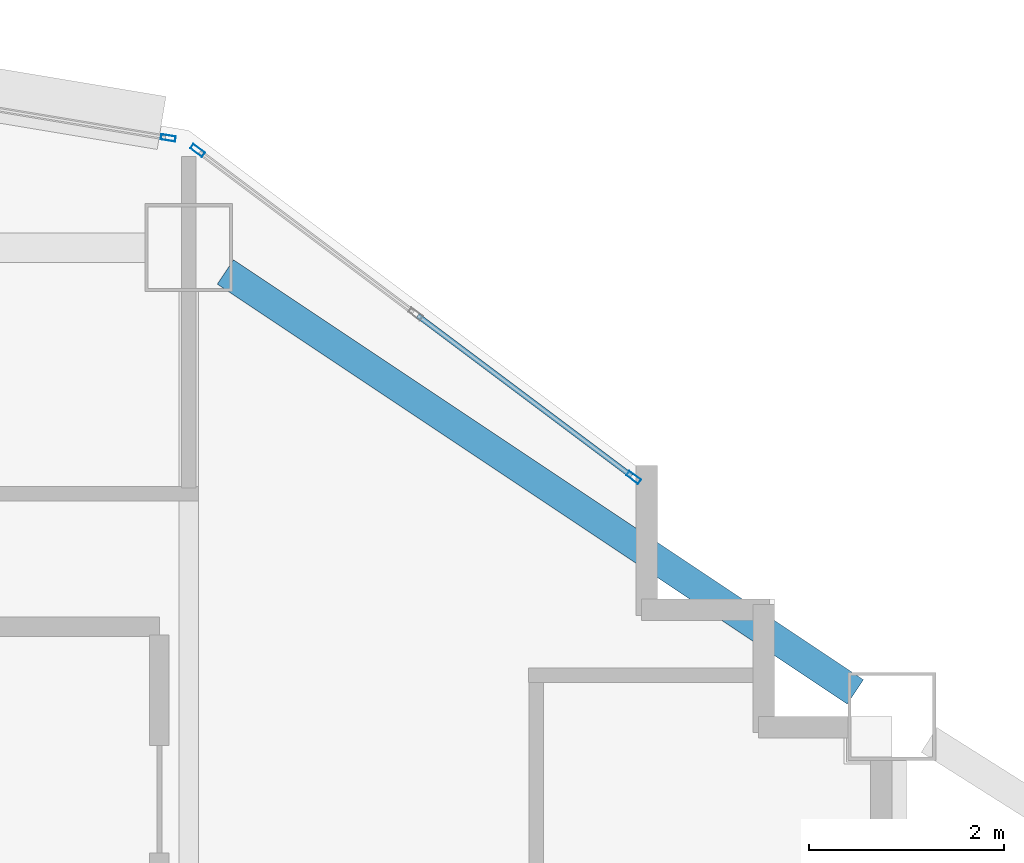
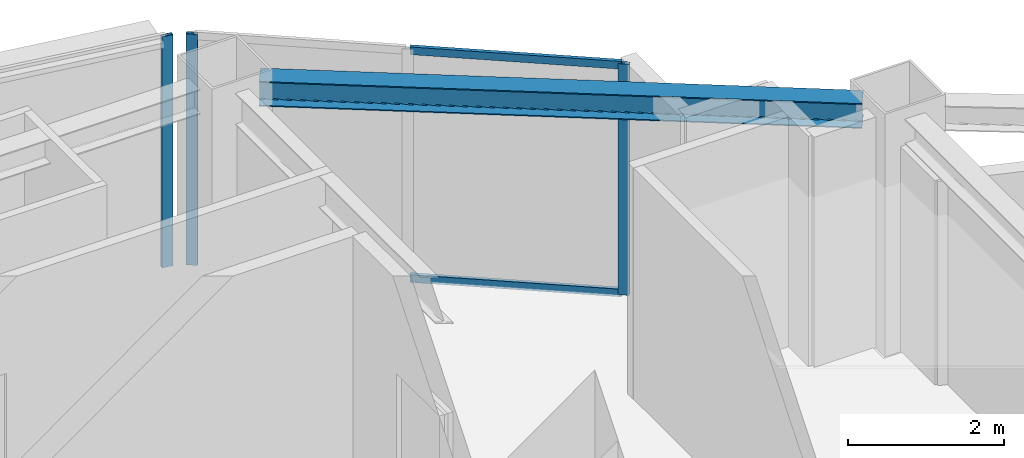
# One storey, part 3 of 12: 5 members, 1 beam, 2 elements without a shape of their own.
"""IFC4 building model written with IfcOpenShell, lengths in metres."""

import ifcopenshell
import ifcopenshell.guid

model = None  # the IFC model being written
_history = None  # IfcOwnerHistory: only IFC2X3 demands one
_inside = {}  # id of a spatial element -> (the spatial element, [elements in it])
_under = {}  # id of a project, library or spatial element -> (it, [spatial elements below it])
_declared = {}  # id of a project -> (the project, [libraries it declares])
_typed = {}  # id of a type object -> (the type object, [elements of that type])
_made_of = {}  # id of a material, layer set ... -> (it, [elements and type objects made of it])


def new_model(schema):
    """Start an empty IFC model of exactly this schema.

    Asked for "IFC4X3", IfcOpenShell would pick the latest addendum, in which some entities
    have other attributes; the version numbers below select the first issue.
    IFC2X3 requires an IfcOwnerHistory on every rooted entity: one is made here for all.
    """
    global model, _history
    if schema == "IFC4X3":
        model = ifcopenshell.file(schema_version=(4, 3, 0, 0))
    else:
        model = ifcopenshell.file(schema=schema)
    _inside.clear()
    _under.clear()
    _declared.clear()
    _typed.clear()
    _made_of.clear()
    _history = None
    if model.schema == "IFC2X3":
        org = make("IfcOrganization", Name="unknown")
        user = make(
            "IfcPersonAndOrganization",
            ThePerson=make("IfcPerson", FamilyName="unknown"),
            TheOrganization=org,
        )
        app = make(
            "IfcApplication",
            ApplicationDeveloper=org,
            Version="unknown",
            ApplicationFullName="unknown",
            ApplicationIdentifier="unknown",
        )
        _history = make(
            "IfcOwnerHistory",
            OwningUser=user,
            OwningApplication=app,
            ChangeAction="ADDED",
            CreationDate=0,
        )
    return model


def make(cls, **values):
    """One entity of the class cls with the attributes given. An attribute that is None is left unset."""
    return model.create_entity(
        cls, **{name: value for name, value in values.items() if value is not None}
    )


def rooted(cls, **values):
    """An entity with a GlobalId (a new one), such as an element, a storey or a relation."""
    return make(cls, GlobalId=ifcopenshell.guid.new(), OwnerHistory=_history, **values)


def si_unit(unit_type, name, prefix=None):
    """IfcSIUnit, for example si_unit("LENGTHUNIT", "METRE", prefix="MILLI")."""
    return make("IfcSIUnit", UnitType=unit_type, Prefix=prefix, Name=name)


def assignment(units):
    """IfcUnitAssignment: the units of a project."""
    return None if units is None else make("IfcUnitAssignment", Units=units)


def point(xyz):
    """IfcCartesianPoint."""
    return None if xyz is None else make("IfcCartesianPoint", Coordinates=xyz)


def direction(xyz):
    """IfcDirection."""
    return None if xyz is None else make("IfcDirection", DirectionRatios=xyz)


def frame(location, z_axis=None, x_axis=None):
    """IfcAxis2Placement3D, a coordinate frame: its origin and axes. An axis left out is left unset."""
    return make(
        "IfcAxis2Placement3D",
        Location=point(location),
        Axis=direction(z_axis),
        RefDirection=direction(x_axis),
    )


def frame_2d(location, x_axis=None):
    """IfcAxis2Placement2D, a coordinate frame in the plane: its origin and x axis."""
    return make(
        "IfcAxis2Placement2D", Location=point(location), RefDirection=direction(x_axis)
    )


def origin():
    """The frame at (0, 0, 0) with its axes left unset."""
    return frame((0.0, 0.0, 0.0))


def origin_2d():
    """The frame at (0, 0) in the plane with its x axis left unset."""
    return frame_2d((0.0, 0.0))


def place(relative_to, where):
    """IfcLocalPlacement: puts the frame where relative to a parent placement (None: the world)."""
    return make(
        "IfcLocalPlacement", PlacementRelTo=relative_to, RelativePlacement=where
    )


def context(
    kind, dimensions, precision=None, world=None, true_north=None, identifier=None
):
    """IfcGeometricRepresentationContext, for example the 3D "Model" context."""
    return make(
        "IfcGeometricRepresentationContext",
        ContextIdentifier=identifier,
        ContextType=kind,
        CoordinateSpaceDimension=dimensions,
        Precision=precision,
        WorldCoordinateSystem=world,
        TrueNorth=true_north,
    )


def subcontext(parent, identifier, kind, view, scale=None):
    """IfcGeometricRepresentationSubContext, for example "Body" below "Model"."""
    return make(
        "IfcGeometricRepresentationSubContext",
        ContextIdentifier=identifier,
        ContextType=kind,
        ParentContext=parent,
        TargetScale=scale,
        TargetView=view,
    )


def project(units=None, contexts=None):
    """IfcProject with its units and contexts."""
    return rooted(
        "IfcProject",
        Name="project",
        RepresentationContexts=contexts,
        UnitsInContext=assignment(units),
    )


def spatial(cls, under=None, at=None, **own):
    """A site, building, storey or space (cls), placed at a placement, below another one or the project."""
    s = rooted(cls, ObjectPlacement=at, **own)
    if under is not None:
        _under.setdefault(under.id(), (under, []))[1].append(s)
    return s


def profile(cls, at=None, kind="AREA", **sizes):
    """A parametric profile (cls). Its sizes go by their IFC names, for example OverallWidth=200.0."""
    return make(cls, ProfileType=kind, Position=at, **sizes)


def hollow_rectangle(**sizes):
    """IfcRectangleHollowProfileDef."""
    return profile("IfcRectangleHollowProfileDef", **sizes)


def i_section(**sizes):
    """IfcIShapeProfileDef."""
    return profile("IfcIShapeProfileDef", **sizes)


def extrude(swept, where, along, depth):
    """IfcExtrudedAreaSolid: the profile swept, set in the frame where, extruded along a direction by depth."""
    return make(
        "IfcExtrudedAreaSolid",
        SweptArea=swept,
        Position=where,
        ExtrudedDirection=direction(along),
        Depth=depth,
    )


def shape(context_of_items, identifier, shape_type, items):
    """IfcShapeRepresentation: the items that make up one representation, for example the "Body"."""
    return make(
        "IfcShapeRepresentation",
        ContextOfItems=context_of_items,
        RepresentationIdentifier=identifier,
        RepresentationType=shape_type,
        Items=items,
    )


def material(Name=None, Category=None):
    """IfcMaterial."""
    return make("IfcMaterial", Name=Name, Category=Category)


def layer(
    of_material, thickness, ventilated=None, Name=None, Category=None, Priority=None
):
    """IfcMaterialLayer: one layer of a wall or slab, of a material (None: an air gap)."""
    return make(
        "IfcMaterialLayer",
        Material=of_material,
        LayerThickness=thickness,
        IsVentilated=ventilated,
        Name=Name,
        Category=Category,
        Priority=Priority,
    )


def layer_set(layers, Name=None):
    """IfcMaterialLayerSet."""
    return make("IfcMaterialLayerSet", MaterialLayers=layers, LayerSetName=Name)


def material_profile(
    of_material, cross_section, Name=None, Category=None, Priority=None
):
    """IfcMaterialProfile: a cross section and its material."""
    return make(
        "IfcMaterialProfile",
        Name=Name,
        Material=of_material,
        Profile=cross_section,
        Priority=Priority,
        Category=Category,
    )


def profile_set(profiles, Name=None, composite=None):
    """IfcMaterialProfileSet."""
    return make(
        "IfcMaterialProfileSet",
        Name=Name,
        MaterialProfiles=profiles,
        CompositeProfile=composite,
    )


def made_of(thing, what):
    """Note that an element or type object is made of a material, layer set ...; save() writes the relation."""
    if what is not None:
        _made_of.setdefault(what.id(), (what, []))[1].append(thing)
    return thing


def type_object(cls, material=None, **own):
    """A type object (cls), such as IfcWallType, which elements share."""
    return made_of(rooted(cls, **own), material)


def element(
    cls,
    number,
    at=None,
    inside=None,
    cuts=None,
    type_object=None,
    material=None,
    context=None,
    identifier="Body",
    shape_type=None,
    held_by="IfcProductDefinitionShape",
    body=None,
    shapes=None,
    **own,
):
    """One element of the class cls, such as IfcWall. Its Tag is "e" and its number.

    at: its placement. inside: the storey or other place that contains it. cuts: it is an
    opening in that element (IfcRelVoidsElement). A single representation is given by context,
    identifier, shape_type and body (its items); several are given by shapes. held_by: the class
    of the entity that holds the representations. save() writes the other relations.
    """
    e = rooted(cls, Tag="e%d" % number, ObjectPlacement=at, **own)
    if body is not None:
        shapes = [shape(context, identifier, shape_type, body)]
    if shapes is not None:
        e.Representation = make(held_by, Representations=shapes)
    if inside is not None:
        _inside.setdefault(inside.id(), (inside, []))[1].append(e)
    if cuts is not None:
        rooted(
            "IfcRelVoidsElement", RelatingBuildingElement=cuts, RelatedOpeningElement=e
        )
    if type_object is not None:
        _typed.setdefault(type_object.id(), (type_object, []))[1].append(e)
    return made_of(e, material)


def aggregate(whole, parts):
    """IfcRelAggregates: a whole, such as a stair, and the parts it consists of."""
    return rooted("IfcRelAggregates", RelatingObject=whole, RelatedObjects=parts)


def save(model, path):
    """Write the relations noted so far, then the file.

    IfcRelAggregates (storeys below a building ...), IfcRelContainedInSpatialStructure (elements
    in a storey), IfcRelDefinesByType, IfcRelAssociatesMaterial and IfcRelDeclares: one each for
    every whole, place, type object, material and project.
    """
    for whole, parts in _under.values():
        aggregate(whole, parts)
    for where, things in _inside.values():
        rooted(
            "IfcRelContainedInSpatialStructure",
            RelatedElements=things,
            RelatingStructure=where,
        )
    for kind, things in _typed.values():
        rooted("IfcRelDefinesByType", RelatedObjects=things, RelatingType=kind)
    for what, things in _made_of.values():
        rooted("IfcRelAssociatesMaterial", RelatedObjects=things, RelatingMaterial=what)
    for by, libraries in _declared.values():
        rooted("IfcRelDeclares", RelatingContext=by, RelatedDefinitions=libraries)
    model.write(path)


model = new_model("IFC4")

# Units and contexts
model_context = context("Model", 3, precision=1e-05, world=origin(), true_north=direction((0.0, 1.0)))
body_context = subcontext(model_context, "Body", "Model", "MODEL_VIEW")
ifc_project = project(units=[si_unit("LENGTHUNIT", "METRE"), si_unit("AREAUNIT", "SQUARE_METRE"), si_unit("VOLUMEUNIT", "CUBIC_METRE"), si_unit("PLANEANGLEUNIT", "RADIAN"), si_unit("MASSUNIT", "GRAM", prefix="KILO")], contexts=[model_context])

# Site, building, storey
site_placement = place(None, origin())
site = spatial("IfcSite", under=ifc_project, at=site_placement, CompositionType="ELEMENT")
building_placement = place(site_placement, origin())
building = spatial("IfcBuilding", under=site, at=building_placement, Name="Haolan Belvedere Tower", CompositionType="ELEMENT")
storey_placement = place(building_placement, frame((0.0, 0.0, 169.0)))
storey = spatial("IfcBuildingStorey", under=building, at=storey_placement, Name="L42", CompositionType="ELEMENT", Elevation=169.0)

# Beam
ifc_material_1 = material(Name="Steel Q355B", Category="steel")
ifc_material_profile_1 = material_profile(ifc_material_1, i_section(OverallWidth=0.300048828125, OverallDepth=0.389892578125, WebThickness=0.010009765625, FlangeThickness=0.01611328125, FilletRadius=0.02197265625, at=origin_2d()), Name="Steel Q355B")
ifc_profile_set_1 = profile_set([ifc_material_profile_1], Name="Steel Q355B")
beam_type = type_object("IfcBeamType", Name="BM-HM390x300x10x16", PredefinedType="SPANDREL", material=ifc_profile_set_1)
beam_placement = place(storey_placement, frame((45.974365234375, 50.150390625, 3.425048828125), z_axis=(0.832050294338, -0.554700196225, 0.0), x_axis=(0.554700196225, 0.832050294338, 0.0)))
element("IfcBeam", 1, at=beam_placement, inside=storey, type_object=beam_type, Name="L42 spandrel girder MC-T3-N2-MC-T3-NE", PredefinedType="SPANDREL", context=body_context, shape_type="SweptSolid", body=[
    extrude(i_section(OverallWidth=0.300048828125, OverallDepth=0.389892578125, WebThickness=0.010009765625, FlangeThickness=0.01611328125, FilletRadius=0.02197265625, at=origin_2d()), origin(), (0.0, 0.0, 1.0), 7.75341796875),
])

# Curtain wall, members
ifc_material_2 = material(Name="Anodised champagne-silver aluminium 6063-T6 and Low-E glass", Category="aluminium")
ifc_layer = layer(ifc_material_2, 0.14990234375, Name="Anodised champagne-silver aluminium 6063-T6 and Low-E glass")
ifc_layer_set = layer_set([ifc_layer], Name="Anodised champagne-silver aluminium 6063-T6 and Low-E glass")
curtain_wall_type = type_object("IfcCurtainWallType", Name="CW-SYS-04", PredefinedType="NOTDEFINED", material=ifc_layer_set)
curtain_wall_1_placement = place(storey_placement, origin())
curtain_wall_1 = element("IfcCurtainWall", 2, at=curtain_wall_1_placement, inside=storey, type_object=curtain_wall_type, Name="L42 CW-SYS-04 ribbon curtain wall 20.1", PredefinedType="NOTDEFINED")
ifc_material_3 = material(Name="Anodised aluminium 6063-T6", Category="aluminium")
ifc_material_profile_2 = material_profile(ifc_material_3, hollow_rectangle(XDim=0.055908203125, YDim=0.14990234375, WallThickness=0.00390625, at=origin_2d()), Name="Anodised aluminium 6063-T6")
ifc_profile_set_2 = profile_set([ifc_material_profile_2], Name="Anodised aluminium 6063-T6")
member_type_1 = type_object("IfcMemberType", Name="CW-SYS-04-MUL", PredefinedType="MULLION", material=ifc_profile_set_2)
member_1_placement = place(storey_placement, frame((50.155517578125, 48.0458984375, 0.0), z_axis=(0.0, 0.0, 1.0), x_axis=(-0.600002837806, -0.799997871638, 0.0)))
member_1 = element("IfcMember", 3, at=member_1_placement, type_object=member_type_1, Name="CW-04 mullion 1", PredefinedType="MULLION", context=body_context, shape_type="SweptSolid", body=[
    extrude(hollow_rectangle(XDim=0.055908203125, YDim=0.14990234375, WallThickness=0.00390625, at=origin_2d()), origin(), (0.0, 0.0, 1.0), 3.6201171875),
])
member_2_placement = place(storey_placement, frame((45.68994140625, 51.39501953125, 0.0), z_axis=(0.0, 0.0, 1.0), x_axis=(-0.600002837806, -0.799997871638, 0.0)))
member_2 = element("IfcMember", 4, at=member_2_placement, type_object=member_type_1, Name="CW-04 mullion 3", PredefinedType="MULLION", context=body_context, shape_type="SweptSolid", body=[
    extrude(hollow_rectangle(XDim=0.055908203125, YDim=0.14990234375, WallThickness=0.00390625, at=origin_2d()), origin(), (0.0, 0.0, 1.0), 3.6201171875),
])

# Curtain wall, member
curtain_wall_2_placement = place(storey_placement, origin())
curtain_wall_2 = element("IfcCurtainWall", 5, at=curtain_wall_2_placement, inside=storey, type_object=curtain_wall_type, Name="L42 CW-SYS-04 ribbon curtain wall 21.1", PredefinedType="NOTDEFINED")
member_3_placement = place(storey_placement, frame((45.389892578125, 51.5234375, 0.0), z_axis=(0.0, 0.0, 1.0), x_axis=(-0.164405962825, -0.98639276122, 0.0)))
member_3 = element("IfcMember", 6, at=member_3_placement, type_object=member_type_1, Name="CW-04 mullion 1", PredefinedType="MULLION", context=body_context, shape_type="SweptSolid", body=[
    extrude(hollow_rectangle(XDim=0.055908203125, YDim=0.14990234375, WallThickness=0.00390625, at=origin_2d()), origin(), (0.0, 0.0, 1.0), 3.6201171875),
])
aggregate(curtain_wall_2, [member_3])

# Member
ifc_material_profile_3 = material_profile(ifc_material_3, hollow_rectangle(XDim=0.052001953125, YDim=0.1201171875, WallThickness=0.00390625, at=origin_2d()), Name="Anodised aluminium 6063-T6")
ifc_profile_set_3 = profile_set([ifc_material_profile_3], Name="Anodised aluminium 6063-T6")
member_type_2 = type_object("IfcMemberType", Name="CW-SYS-04-TRN", PredefinedType="USERDEFINED", material=ifc_profile_set_3)
member_4_placement = place(storey_placement, frame((50.13330078125, 48.0625, 0.02587890625), z_axis=(-0.800010710715, 0.59998571878, 0.0), x_axis=(-0.59998571878, -0.800010710715, 0.0)))
member_4 = element("IfcMember", 7, at=member_4_placement, type_object=member_type_2, Name="CW-04 transom 1.1", ObjectType="TRANSOM", PredefinedType="USERDEFINED", context=body_context, shape_type="SweptSolid", body=[
    extrude(hollow_rectangle(XDim=0.052001953125, YDim=0.1201171875, WallThickness=0.00390625, at=origin_2d()), origin(), (0.0, 0.0, 1.0), 2.7353515625),
])

member_5_placement = place(storey_placement, frame((50.13330078125, 48.0625, 3.593994140625), z_axis=(-0.800010710715, 0.59998571878, 0.0), x_axis=(-0.59998571878, -0.800010710715, 0.0)))
member_5 = element("IfcMember", 8, at=member_5_placement, type_object=member_type_2, Name="CW-04 transom 1.2", ObjectType="TRANSOM", PredefinedType="USERDEFINED", context=body_context, shape_type="SweptSolid", body=[
    extrude(hollow_rectangle(XDim=0.052001953125, YDim=0.1201171875, WallThickness=0.00390625, at=origin_2d()), origin(), (0.0, 0.0, 1.0), 2.7353515625),
])

aggregate(curtain_wall_1, [member_1, member_2, member_4, member_5])

save(model, "model.ifc")
